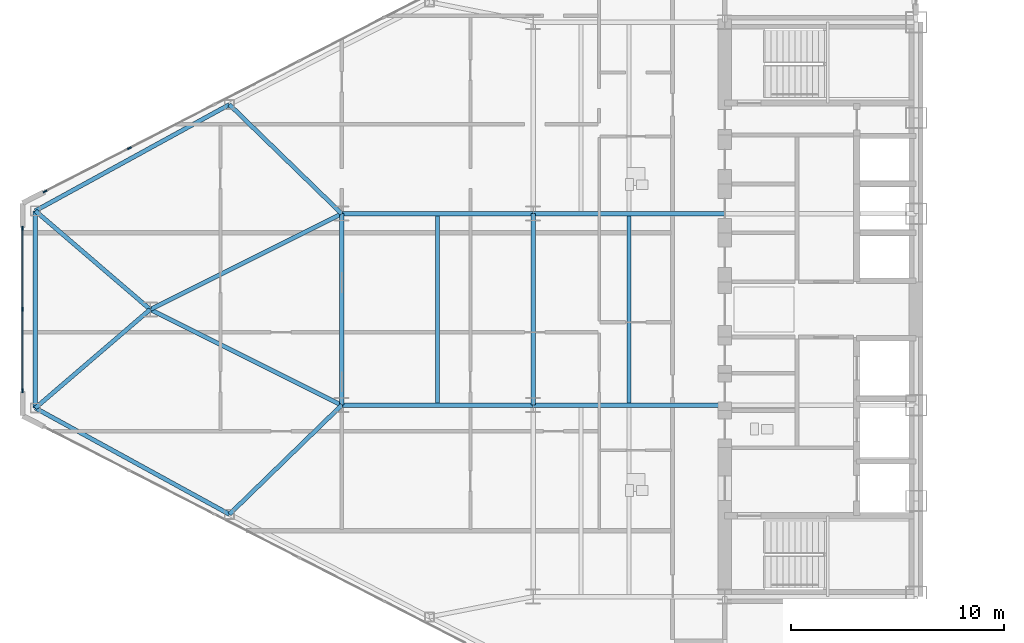
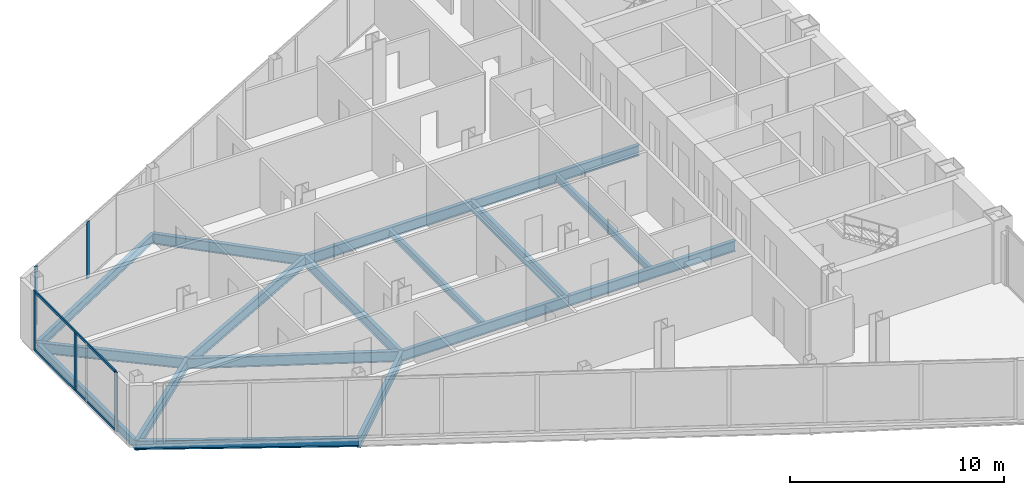
# One storey, part 4 of 24: 17 beams, 7 members, 2 elements without a shape of their own.
"""IFC4 building model written with IfcOpenShell, lengths in metres."""

import ifcopenshell
import ifcopenshell.guid

model = None  # the IFC model being written
_history = None  # IfcOwnerHistory: only IFC2X3 demands one
_inside = {}  # id of a spatial element -> (the spatial element, [elements in it])
_under = {}  # id of a project, library or spatial element -> (it, [spatial elements below it])
_declared = {}  # id of a project -> (the project, [libraries it declares])
_typed = {}  # id of a type object -> (the type object, [elements of that type])
_made_of = {}  # id of a material, layer set ... -> (it, [elements and type objects made of it])


def new_model(schema):
    """Start an empty IFC model of exactly this schema.

    Asked for "IFC4X3", IfcOpenShell would pick the latest addendum, in which some entities
    have other attributes; the version numbers below select the first issue.
    IFC2X3 requires an IfcOwnerHistory on every rooted entity: one is made here for all.
    """
    global model, _history
    if schema == "IFC4X3":
        model = ifcopenshell.file(schema_version=(4, 3, 0, 0))
    else:
        model = ifcopenshell.file(schema=schema)
    _inside.clear()
    _under.clear()
    _declared.clear()
    _typed.clear()
    _made_of.clear()
    _history = None
    if model.schema == "IFC2X3":
        org = make("IfcOrganization", Name="unknown")
        user = make(
            "IfcPersonAndOrganization",
            ThePerson=make("IfcPerson", FamilyName="unknown"),
            TheOrganization=org,
        )
        app = make(
            "IfcApplication",
            ApplicationDeveloper=org,
            Version="unknown",
            ApplicationFullName="unknown",
            ApplicationIdentifier="unknown",
        )
        _history = make(
            "IfcOwnerHistory",
            OwningUser=user,
            OwningApplication=app,
            ChangeAction="ADDED",
            CreationDate=0,
        )
    return model


def make(cls, **values):
    """One entity of the class cls with the attributes given. An attribute that is None is left unset."""
    return model.create_entity(
        cls, **{name: value for name, value in values.items() if value is not None}
    )


def rooted(cls, **values):
    """An entity with a GlobalId (a new one), such as an element, a storey or a relation."""
    return make(cls, GlobalId=ifcopenshell.guid.new(), OwnerHistory=_history, **values)


def si_unit(unit_type, name, prefix=None):
    """IfcSIUnit, for example si_unit("LENGTHUNIT", "METRE", prefix="MILLI")."""
    return make("IfcSIUnit", UnitType=unit_type, Prefix=prefix, Name=name)


def assignment(units):
    """IfcUnitAssignment: the units of a project."""
    return None if units is None else make("IfcUnitAssignment", Units=units)


def point(xyz):
    """IfcCartesianPoint."""
    return None if xyz is None else make("IfcCartesianPoint", Coordinates=xyz)


def direction(xyz):
    """IfcDirection."""
    return None if xyz is None else make("IfcDirection", DirectionRatios=xyz)


def frame(location, z_axis=None, x_axis=None):
    """IfcAxis2Placement3D, a coordinate frame: its origin and axes. An axis left out is left unset."""
    return make(
        "IfcAxis2Placement3D",
        Location=point(location),
        Axis=direction(z_axis),
        RefDirection=direction(x_axis),
    )


def frame_2d(location, x_axis=None):
    """IfcAxis2Placement2D, a coordinate frame in the plane: its origin and x axis."""
    return make(
        "IfcAxis2Placement2D", Location=point(location), RefDirection=direction(x_axis)
    )


def origin():
    """The frame at (0, 0, 0) with its axes left unset."""
    return frame((0.0, 0.0, 0.0))


def origin_2d():
    """The frame at (0, 0) in the plane with its x axis left unset."""
    return frame_2d((0.0, 0.0))


def place(relative_to, where):
    """IfcLocalPlacement: puts the frame where relative to a parent placement (None: the world)."""
    return make(
        "IfcLocalPlacement", PlacementRelTo=relative_to, RelativePlacement=where
    )


def context(
    kind, dimensions, precision=None, world=None, true_north=None, identifier=None
):
    """IfcGeometricRepresentationContext, for example the 3D "Model" context."""
    return make(
        "IfcGeometricRepresentationContext",
        ContextIdentifier=identifier,
        ContextType=kind,
        CoordinateSpaceDimension=dimensions,
        Precision=precision,
        WorldCoordinateSystem=world,
        TrueNorth=true_north,
    )


def subcontext(parent, identifier, kind, view, scale=None):
    """IfcGeometricRepresentationSubContext, for example "Body" below "Model"."""
    return make(
        "IfcGeometricRepresentationSubContext",
        ContextIdentifier=identifier,
        ContextType=kind,
        ParentContext=parent,
        TargetScale=scale,
        TargetView=view,
    )


def project(units=None, contexts=None):
    """IfcProject with its units and contexts."""
    return rooted(
        "IfcProject",
        Name="project",
        RepresentationContexts=contexts,
        UnitsInContext=assignment(units),
    )


def spatial(cls, under=None, at=None, **own):
    """A site, building, storey or space (cls), placed at a placement, below another one or the project."""
    s = rooted(cls, ObjectPlacement=at, **own)
    if under is not None:
        _under.setdefault(under.id(), (under, []))[1].append(s)
    return s


def profile(cls, at=None, kind="AREA", **sizes):
    """A parametric profile (cls). Its sizes go by their IFC names, for example OverallWidth=200.0."""
    return make(cls, ProfileType=kind, Position=at, **sizes)


def rectangle(**sizes):
    """IfcRectangleProfileDef."""
    return profile("IfcRectangleProfileDef", **sizes)


def i_section(**sizes):
    """IfcIShapeProfileDef."""
    return profile("IfcIShapeProfileDef", **sizes)


def extrude(swept, where, along, depth):
    """IfcExtrudedAreaSolid: the profile swept, set in the frame where, extruded along a direction by depth."""
    return make(
        "IfcExtrudedAreaSolid",
        SweptArea=swept,
        Position=where,
        ExtrudedDirection=direction(along),
        Depth=depth,
    )


def shape(context_of_items, identifier, shape_type, items):
    """IfcShapeRepresentation: the items that make up one representation, for example the "Body"."""
    return make(
        "IfcShapeRepresentation",
        ContextOfItems=context_of_items,
        RepresentationIdentifier=identifier,
        RepresentationType=shape_type,
        Items=items,
    )


def source(mapping_origin, context_of_items, identifier, shape_type, items):
    """IfcRepresentationMap: a shape defined once, which mapped items show again and again."""
    return make(
        "IfcRepresentationMap",
        MappingOrigin=mapping_origin,
        MappedRepresentation=shape(context_of_items, identifier, shape_type, items),
    )


def transform(
    local_origin,
    x_axis=None,
    y_axis=None,
    z_axis=None,
    scale=None,
    scale2=None,
    scale3=None,
    uniform=True,
):
    """IfcCartesianTransformationOperator3D, or its non-uniform kind. x_axis, y_axis, z_axis: its Axis1, 2, 3."""
    if uniform:
        return make(
            "IfcCartesianTransformationOperator3D",
            Axis1=direction(x_axis),
            Axis2=direction(y_axis),
            LocalOrigin=point(local_origin),
            Scale=scale,
            Axis3=direction(z_axis),
        )
    return make(
        "IfcCartesianTransformationOperator3DnonUniform",
        Axis1=direction(x_axis),
        Axis2=direction(y_axis),
        LocalOrigin=point(local_origin),
        Scale=scale,
        Axis3=direction(z_axis),
        Scale2=scale2,
        Scale3=scale3,
    )


def mapped(mapping_source, mapping_target):
    """IfcMappedItem: shows the shape of a source again, moved by a transform."""
    return make(
        "IfcMappedItem", MappingSource=mapping_source, MappingTarget=mapping_target
    )


def material(Name=None, Category=None):
    """IfcMaterial."""
    return make("IfcMaterial", Name=Name, Category=Category)


def layer(
    of_material, thickness, ventilated=None, Name=None, Category=None, Priority=None
):
    """IfcMaterialLayer: one layer of a wall or slab, of a material (None: an air gap)."""
    return make(
        "IfcMaterialLayer",
        Material=of_material,
        LayerThickness=thickness,
        IsVentilated=ventilated,
        Name=Name,
        Category=Category,
        Priority=Priority,
    )


def layer_set(layers, Name=None):
    """IfcMaterialLayerSet."""
    return make("IfcMaterialLayerSet", MaterialLayers=layers, LayerSetName=Name)


def material_profile(
    of_material, cross_section, Name=None, Category=None, Priority=None
):
    """IfcMaterialProfile: a cross section and its material."""
    return make(
        "IfcMaterialProfile",
        Name=Name,
        Material=of_material,
        Profile=cross_section,
        Priority=Priority,
        Category=Category,
    )


def profile_set(profiles, Name=None, composite=None):
    """IfcMaterialProfileSet."""
    return make(
        "IfcMaterialProfileSet",
        Name=Name,
        MaterialProfiles=profiles,
        CompositeProfile=composite,
    )


def made_of(thing, what):
    """Note that an element or type object is made of a material, layer set ...; save() writes the relation."""
    if what is not None:
        _made_of.setdefault(what.id(), (what, []))[1].append(thing)
    return thing


def type_object(cls, material=None, **own):
    """A type object (cls), such as IfcWallType, which elements share."""
    return made_of(rooted(cls, **own), material)


def type_shapes(of_type, sources):
    """Give a type object the sources (RepresentationMaps) that its elements show as mapped items."""
    of_type.RepresentationMaps = sources


def element(
    cls,
    number,
    at=None,
    inside=None,
    cuts=None,
    type_object=None,
    material=None,
    context=None,
    identifier="Body",
    shape_type=None,
    held_by="IfcProductDefinitionShape",
    body=None,
    shapes=None,
    **own,
):
    """One element of the class cls, such as IfcWall. Its Tag is "e" and its number.

    at: its placement. inside: the storey or other place that contains it. cuts: it is an
    opening in that element (IfcRelVoidsElement). A single representation is given by context,
    identifier, shape_type and body (its items); several are given by shapes. held_by: the class
    of the entity that holds the representations. save() writes the other relations.
    """
    e = rooted(cls, Tag="e%d" % number, ObjectPlacement=at, **own)
    if body is not None:
        shapes = [shape(context, identifier, shape_type, body)]
    if shapes is not None:
        e.Representation = make(held_by, Representations=shapes)
    if inside is not None:
        _inside.setdefault(inside.id(), (inside, []))[1].append(e)
    if cuts is not None:
        rooted(
            "IfcRelVoidsElement", RelatingBuildingElement=cuts, RelatedOpeningElement=e
        )
    if type_object is not None:
        _typed.setdefault(type_object.id(), (type_object, []))[1].append(e)
    return made_of(e, material)


def aggregate(whole, parts):
    """IfcRelAggregates: a whole, such as a stair, and the parts it consists of."""
    return rooted("IfcRelAggregates", RelatingObject=whole, RelatedObjects=parts)


def save(model, path):
    """Write the relations noted so far, then the file.

    IfcRelAggregates (storeys below a building ...), IfcRelContainedInSpatialStructure (elements
    in a storey), IfcRelDefinesByType, IfcRelAssociatesMaterial and IfcRelDeclares: one each for
    every whole, place, type object, material and project.
    """
    for whole, parts in _under.values():
        aggregate(whole, parts)
    for where, things in _inside.values():
        rooted(
            "IfcRelContainedInSpatialStructure",
            RelatedElements=things,
            RelatingStructure=where,
        )
    for kind, things in _typed.values():
        rooted("IfcRelDefinesByType", RelatedObjects=things, RelatingType=kind)
    for what, things in _made_of.values():
        rooted("IfcRelAssociatesMaterial", RelatedObjects=things, RelatingMaterial=what)
    for by, libraries in _declared.values():
        rooted("IfcRelDeclares", RelatingContext=by, RelatedDefinitions=libraries)
    model.write(path)


model = new_model("IFC4")

# Units and contexts
model_context = context("Model", 3, precision=1e-05, world=origin(), true_north=direction((0.0, 1.0)))
body_context = subcontext(model_context, "Body", "Model", "MODEL_VIEW")
ifc_project = project(units=[si_unit("LENGTHUNIT", "METRE"), si_unit("AREAUNIT", "SQUARE_METRE"), si_unit("VOLUMEUNIT", "CUBIC_METRE"), si_unit("PLANEANGLEUNIT", "RADIAN"), si_unit("MASSUNIT", "GRAM", prefix="KILO")], contexts=[model_context])

# Site, building, storey
site_placement = place(None, origin())
site = spatial("IfcSite", under=ifc_project, at=site_placement, CompositionType="ELEMENT")
building_placement = place(site_placement, origin())
building = spatial("IfcBuilding", under=site, at=building_placement, Name="Seokmaru Belvedere", CompositionType="ELEMENT")
storey_placement = place(building_placement, frame((0.0, 0.0, 121.199951171875)))
storey = spatial("IfcBuildingStorey", under=building, at=storey_placement, Name="L32", CompositionType="ELEMENT", Elevation=121.199951171875)

# Beams
ifc_material_1 = material(Name="Steel SM355 (355 MPa)", Category="steel")
ifc_material_profile_1 = material_profile(ifc_material_1, i_section(OverallWidth=0.199951171875, OverallDepth=0.60009765625, WebThickness=0.010986328125, FlangeThickness=0.01708984375, at=origin_2d()), Name="H-600x200x11x17")
ifc_profile_set_1 = profile_set([ifc_material_profile_1], Name="Steel SM355 (355 MPa)")
beam_type_1 = type_object("IfcBeamType", Name="Primary Floor Girder H-600", PredefinedType="BEAM", material=ifc_profile_set_1)
shared_shape_1 = source(origin(), body_context, "Body", "SweptSolid", [
    extrude(i_section(OverallWidth=0.199951171875, OverallDepth=0.60009765625, WebThickness=0.010986328125, FlangeThickness=0.01708984375, at=origin_2d()), origin(), (0.0, 0.0, 1.0), 9.0),
])
for number, where, z_axis, x_axis, name in (
    (1, (-45.5, -4.5, -0.52001953125), (0.0, 1.0, 0.0), (-1.0, 0.0, 0.0), "L32 W Interior Grid Girder 2"),
    (2, (-45.5, -4.5, -0.52001953125), (1.0, 0.0, 0.0), (0.0, 1.0, 0.0), "L32 W Wing Primary Girder 2"),
    (3, (-45.5, 4.5, -0.52001953125), (1.0, 0.0, 0.0), (0.0, 1.0, 0.0), "L32 W Wing Primary Girder 3"),
    (4, (-54.5, -4.5, -0.52001953125), (1.0, 0.0, 0.0), (0.0, 1.0, 0.0), "L32 W Outer Wing Girder 1"),
    (5, (-54.5, 4.5, -0.52001953125), (1.0, 0.0, 0.0), (0.0, 1.0, 0.0), "L32 W Outer Wing Girder 2"),
    (6, (-54.5, -4.5, -0.52001953125), (0.0, 1.0, 0.0), (-1.0, 0.0, 0.0), "L32 W Apex Frame Girder"),
):
    element("IfcBeam", number, at=place(storey_placement, frame(where, z_axis=z_axis, x_axis=x_axis)), inside=storey, type_object=beam_type_1, Name=name, PredefinedType="BEAM", context=body_context, shape_type="MappedRepresentation", body=[
        mapped(shared_shape_1, transform((0.0, 0.0, 0.0), scale=1.0)),
    ])
shared_shape_2 = source(origin(), body_context, "Body", "SweptSolid", [
    extrude(i_section(OverallWidth=0.199951171875, OverallDepth=0.60009765625, WebThickness=0.010986328125, FlangeThickness=0.01708984375, at=origin_2d()), origin(), (0.0, 0.0, 1.0), 10.062255859375),
])
for number, where, z_axis, x_axis, name in (
    (7, (-54.5, -4.5, -0.52001953125), (-0.894427191, 0.4472135955, 0.0), (-0.4472135955, -0.894427191, 0.0), "L32 W Apex Converging Girder 1"),
    (8, (-54.5, 4.5, -0.52001953125), (-0.894427191, -0.4472135955, 0.0), (0.4472135955, -0.894427191, 0.0), "L32 W Apex Converging Girder 2"),
):
    element("IfcBeam", number, at=place(storey_placement, frame(where, z_axis=z_axis, x_axis=x_axis)), inside=storey, type_object=beam_type_1, Name=name, PredefinedType="BEAM", context=body_context, shape_type="MappedRepresentation", body=[
        mapped(shared_shape_2, transform((0.0, 0.0, 0.0), scale=1.0)),
    ])
ifc_material_profile_2 = material_profile(ifc_material_1, i_section(OverallWidth=0.18505859375, OverallDepth=0.389892578125, WebThickness=0.008056640625, FlangeThickness=0.011962890625, at=origin_2d()), Name="H-390x185x8x12")
ifc_profile_set_2 = profile_set([ifc_material_profile_2], Name="Steel SM355 (355 MPa)")
beam_type_2 = type_object("IfcBeamType", Name="Secondary Floor Joist H-350", PredefinedType="JOIST", material=ifc_profile_set_2)
shared_shape_3 = source(origin(), body_context, "Body", "SweptSolid", [
    extrude(i_section(OverallWidth=0.18505859375, OverallDepth=0.389892578125, WebThickness=0.008056640625, FlangeThickness=0.011962890625, at=origin_2d()), origin(), (0.0, 0.0, 1.0), 8.7900390625),
])
type_shapes(beam_type_2, [shared_shape_3])
for number, where, z_axis, x_axis, name in (
    (9, (-41.0, -4.39501953125, -0.4150390625), (0.0, 1.0, 0.0), (-1.0, 0.0, 0.0), "L32 W Secondary Floor Joist 2"),
    (10, (-50.0, -4.39501953125, -0.4150390625), (0.0, 1.0, 0.0), (-1.0, 0.0, 0.0), "L32 W Outer Bay Secondary Joist"),
):
    element("IfcBeam", number, at=place(storey_placement, frame(where, z_axis=z_axis, x_axis=x_axis)), inside=storey, type_object=beam_type_2, Name=name, PredefinedType="JOIST", context=body_context, shape_type="MappedRepresentation", body=[
        mapped(shared_shape_3, transform((0.0, 0.0, 0.0), scale=1.0)),
    ])
ifc_material_profile_3 = material_profile(ifc_material_1, i_section(OverallWidth=0.199951171875, OverallDepth=0.5, WebThickness=0.010009765625, FlangeThickness=0.01611328125, at=origin_2d()), Name="H-500x200x10x16")
ifc_profile_set_3 = profile_set([ifc_material_profile_3], Name="Steel SM355 (355 MPa)")
beam_type_3 = type_object("IfcBeamType", Name="Perimeter Spandrel Beam H-500", PredefinedType="SPANDREL", material=ifc_profile_set_3)
shared_shape_4 = source(origin(), body_context, "Body", "SweptSolid", [
    extrude(i_section(OverallWidth=0.199951171875, OverallDepth=0.5, WebThickness=0.010009765625, FlangeThickness=0.01611328125, at=origin_2d()), origin(), (0.0, 0.0, 1.0), 10.399658203125),
])
for number, where, z_axis, x_axis, name in (
    (11, (-59.778564453125, -9.62890625, -0.469970703125), (-0.877082374422, 0.480339992587, 0.0), (-0.480339992587, -0.877082374422, 0.0), "L32 W Faceted Flank Spandrel S-4"),
    (12, (-59.778564453125, 9.62890625, -0.469970703125), (-0.877082374422, -0.480339992587, 0.0), (0.480339992587, -0.877082374422, 0.0), "L32 W Faceted Flank Spandrel N-4"),
):
    element("IfcBeam", number, at=place(storey_placement, frame(where, z_axis=z_axis, x_axis=x_axis)), inside=storey, type_object=beam_type_3, Name=name, PredefinedType="SPANDREL", context=body_context, shape_type="MappedRepresentation", body=[
        mapped(shared_shape_4, transform((0.0, 0.0, 0.0), scale=1.0)),
    ])
shared_shape_5 = source(origin(), body_context, "Body", "SweptSolid", [
    extrude(i_section(OverallWidth=0.199951171875, OverallDepth=0.5, WebThickness=0.010009765625, FlangeThickness=0.01611328125, at=origin_2d()), origin(), (0.0, 0.0, 1.0), 9.26708984375),
])
type_shapes(beam_type_3, [shared_shape_4, shared_shape_5])
beam_placement = place(storey_placement, frame((-68.89990234375, -4.633544921875, -0.469970703125), z_axis=(0.0, 1.0, 0.0), x_axis=(-1.0, 0.0, 0.0)))
element("IfcBeam", 13, at=beam_placement, inside=storey, type_object=beam_type_3, Name="L32 W Faceted Apex Spandrel", PredefinedType="SPANDREL", context=body_context, shape_type="MappedRepresentation", body=[
    mapped(shared_shape_5, transform((0.0, 0.0, 0.0), scale=1.0)),
])
shared_shape_6 = source(origin(), body_context, "Body", "SweptSolid", [
    extrude(i_section(OverallWidth=0.199951171875, OverallDepth=0.60009765625, WebThickness=0.010986328125, FlangeThickness=0.01708984375, at=origin_2d()), origin(), (0.0, 0.0, 1.0), 7.35986328125),
])
for number, where, z_axis, x_axis, name in (
    (14, (-59.778564453125, -9.62890625, -0.52001953125), (0.717200745515, 0.696866623273, 0.0), (-0.696866623273, 0.717200745515, 0.0), "L32 W Flank Radial Floor Girder S-3"),
    (15, (-59.778564453125, 9.62890625, -0.52001953125), (0.717200745515, -0.696866623273, 0.0), (0.696866623273, 0.717200745515, 0.0), "L32 W Flank Radial Floor Girder N-3"),
):
    element("IfcBeam", number, at=place(storey_placement, frame(where, z_axis=z_axis, x_axis=x_axis)), inside=storey, type_object=beam_type_1, Name=name, PredefinedType="BEAM", context=body_context, shape_type="MappedRepresentation", body=[
        mapped(shared_shape_6, transform((0.0, 0.0, 0.0), scale=1.0)),
    ])
shared_shape_7 = source(origin(), body_context, "Body", "SweptSolid", [
    extrude(i_section(OverallWidth=0.199951171875, OverallDepth=0.60009765625, WebThickness=0.010986328125, FlangeThickness=0.01708984375, at=origin_2d()), origin(), (0.0, 0.0, 1.0), 7.115478515625),
])
type_shapes(beam_type_1, [shared_shape_1, shared_shape_2, shared_shape_6, shared_shape_7])
for number, where, z_axis, x_axis, name in (
    (16, (-68.89990234375, -4.633544921875, -0.52001953125), (0.758905301881, 0.651201000289, 0.0), (-0.651201000289, 0.758905301881, 0.0), "L32 W Apex Radial Floor Girder 1"),
    (17, (-68.89990234375, 4.633544921875, -0.52001953125), (0.758905301881, -0.651201000289, 0.0), (0.651201000289, 0.758905301881, 0.0), "L32 W Apex Radial Floor Girder 2"),
):
    element("IfcBeam", number, at=place(storey_placement, frame(where, z_axis=z_axis, x_axis=x_axis)), inside=storey, type_object=beam_type_1, Name=name, PredefinedType="BEAM", context=body_context, shape_type="MappedRepresentation", body=[
        mapped(shared_shape_7, transform((0.0, 0.0, 0.0), scale=1.0)),
    ])

# Curtain wall, member
ifc_material_2 = material(Name="Bronze Triple Insulating Glass", Category="glass")
ifc_layer = layer(ifc_material_2, 0.195068359375)
ifc_layer_set = layer_set([ifc_layer], Name="Bronze Triple Insulating Glass")
curtain_wall_type = type_object("IfcCurtainWallType", Name="Sky-Lobby and Mid-Rise Curtain Wall System CW-4", PredefinedType="NOTDEFINED", material=ifc_layer_set)
curtain_wall_1_placement = place(storey_placement, origin())
curtain_wall_1 = element("IfcCurtainWall", 18, at=curtain_wall_1_placement, inside=storey, type_object=curtain_wall_type, Name="L32 Curtain Wall WF3", PredefinedType="NOTDEFINED")
ifc_material_3 = material(Name="Anodised Bronze Aluminium", Category="aluminium")
ifc_material_profile_4 = material_profile(ifc_material_3, rectangle(XDim=0.070068359375, YDim=0.195068359375, at=origin_2d()), Name="CW-M-70x195")
ifc_profile_set_4 = profile_set([ifc_material_profile_4], Name="Anodised Bronze Aluminium")
member_type_1 = type_object("IfcMemberType", Name="Bronze Unitised Mullion 70x195", PredefinedType="MULLION", material=ifc_profile_set_4)
shared_shape_8 = source(origin(), body_context, "Body", "SweptSolid", [
    extrude(rectangle(XDim=0.070068359375, YDim=0.195068359375, at=origin_2d()), origin(), (0.0, 0.0, 1.0), 3.380126953125),
])
member_1_placement = place(storey_placement, frame((-68.44580078125, 5.541015625, 0.0), z_axis=(0.0, 0.0, 1.0), x_axis=(0.456554528263, -0.889695432562, 0.0)))
member_1 = element("IfcMember", 19, at=member_1_placement, type_object=member_type_1, Name="CW:L32:WF3 Mullion 10", PredefinedType="MULLION", context=body_context, shape_type="MappedRepresentation", body=[
    mapped(shared_shape_8, transform((0.0, 0.0, 0.0), scale=1.0)),
])

# Curtain wall, members
curtain_wall_2_placement = place(storey_placement, origin())
curtain_wall_2 = element("IfcCurtainWall", 20, at=curtain_wall_2_placement, inside=storey, type_object=curtain_wall_type, Name="L32 Curtain Wall WF4", PredefinedType="NOTDEFINED")
member_2_placement = place(storey_placement, frame((-69.5, 3.81494140625, 0.0), z_axis=(0.0, 0.0, 1.0), x_axis=(1.0, 0.0, 0.0)))
member_2 = element("IfcMember", 21, at=member_2_placement, type_object=member_type_1, Name="CW:L32:WF4 Mullion 1", PredefinedType="MULLION", context=body_context, shape_type="MappedRepresentation", body=[
    mapped(shared_shape_8, transform((0.0, 0.0, 0.0), scale=1.0)),
])
member_3_placement = place(storey_placement, frame((-69.5, -3.81494140625, 0.0), z_axis=(0.0, 0.0, 1.0), x_axis=(1.0, 0.0, 0.0)))
member_3 = element("IfcMember", 22, at=member_3_placement, type_object=member_type_1, Name="CW:L32:WF4 Mullion 3", PredefinedType="MULLION", context=body_context, shape_type="MappedRepresentation", body=[
    mapped(shared_shape_8, transform((0.0, 0.0, 0.0), scale=1.0)),
])

# Member
shared_shape_9 = source(origin(), body_context, "Body", "SweptSolid", [
    extrude(rectangle(XDim=0.070068359375, YDim=0.195068359375, at=origin_2d()), origin(), (0.0, 0.0, 1.0), 3.25),
])
type_shapes(member_type_1, [shared_shape_8, shared_shape_9])
member_4_placement = place(storey_placement, frame((-64.48193359375, 7.574951171875, 0.06494140625), z_axis=(0.0, 0.0, 1.0), x_axis=(0.456554528263, -0.889695432562, 0.0)))
member_4 = element("IfcMember", 23, at=member_4_placement, type_object=member_type_1, Name="CW:L32:WF3 Mullion 9", PredefinedType="MULLION", context=body_context, shape_type="MappedRepresentation", body=[
    mapped(shared_shape_9, transform((0.0, 0.0, 0.0), scale=1.0)),
])

aggregate(curtain_wall_1, [member_4, member_1])

member_5_placement = place(storey_placement, frame((-69.5, 0.0, 0.06494140625), z_axis=(0.0, 0.0, 1.0), x_axis=(1.0, 0.0, 0.0)))
member_5 = element("IfcMember", 24, at=member_5_placement, type_object=member_type_1, Name="CW:L32:WF4 Mullion 2", PredefinedType="MULLION", context=body_context, shape_type="MappedRepresentation", body=[
    mapped(shared_shape_9, transform((0.0, 0.0, 0.0), scale=1.0)),
])

ifc_material_profile_5 = material_profile(ifc_material_3, rectangle(XDim=0.06494140625, YDim=0.14990234375, at=origin_2d()), Name="CW-T-65x150")
ifc_profile_set_5 = profile_set([ifc_material_profile_5], Name="Anodised Bronze Aluminium")
member_type_2 = type_object("IfcMemberType", Name="Bronze Unitised Transom 65x150", PredefinedType="USERDEFINED", material=ifc_profile_set_5)
shared_shape_10 = source(origin(), body_context, "Body", "SweptSolid", [
    extrude(rectangle(XDim=0.06494140625, YDim=0.14990234375, at=origin_2d()), origin(), (0.0, 0.0, 1.0), 7.56005859375),
])
type_shapes(member_type_2, [shared_shape_10])
member_6_placement = place(storey_placement, frame((-69.5, 3.780029296875, 0.032470703125), z_axis=(0.0, -1.0, 0.0), x_axis=(1.0, 0.0, 0.0)))
member_6 = element("IfcMember", 25, at=member_6_placement, type_object=member_type_2, Name="CW:L32:WF4 Continuous Transom 1", ObjectType="TRANSOM", PredefinedType="USERDEFINED", context=body_context, shape_type="MappedRepresentation", body=[
    mapped(shared_shape_10, transform((0.0, 0.0, 0.0), scale=1.0)),
])

member_7_placement = place(storey_placement, frame((-69.5, 3.780029296875, 3.34765625), z_axis=(0.0, -1.0, 0.0), x_axis=(1.0, 0.0, 0.0)))
member_7 = element("IfcMember", 26, at=member_7_placement, type_object=member_type_2, Name="CW:L32:WF4 Continuous Transom 2", ObjectType="TRANSOM", PredefinedType="USERDEFINED", context=body_context, shape_type="MappedRepresentation", body=[
    mapped(shared_shape_10, transform((0.0, 0.0, 0.0), scale=1.0)),
])

aggregate(curtain_wall_2, [member_2, member_5, member_3, member_6, member_7])

save(model, "model.ifc")
